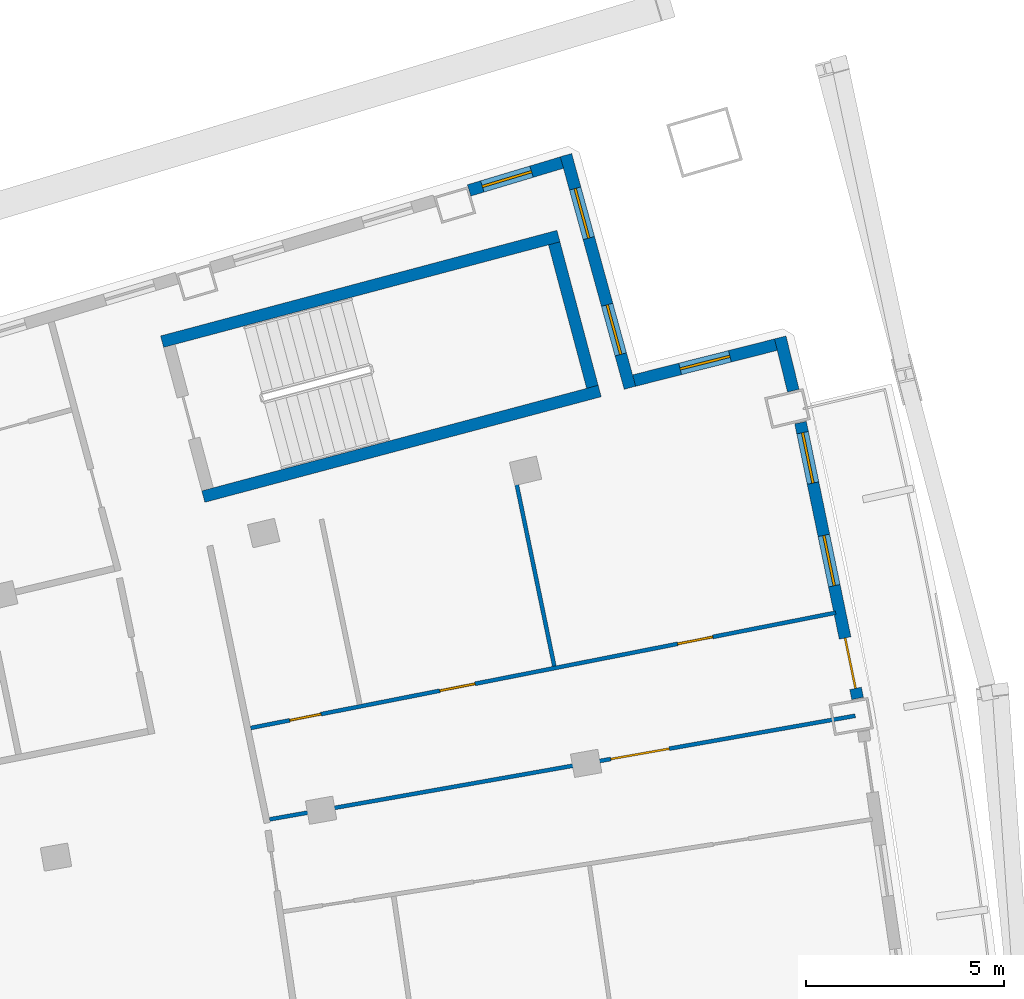
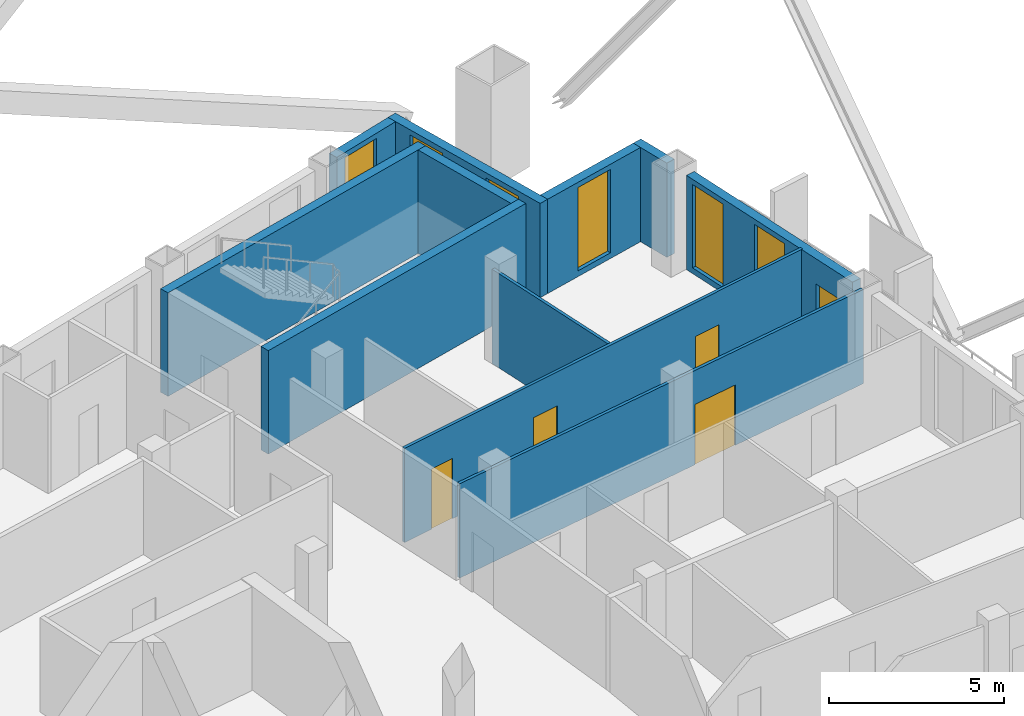
# One storey, part 14 of 21: 11 walls, 6 windows, 5 doors, 11 openings.
"""IFC4 building model written with IfcOpenShell, lengths in metres."""

from ifc_helpers import new_model, si_unit, direction, frame, frame_2d, origin, place, context, subcontext, project, spatial, rectangle, extrude, material, layer, layer_set, type_object, element, fill, save


model = new_model("IFC4")

# Units and contexts
model_context = context("Model", 3, precision=1e-05, world=origin(), true_north=direction((0.0, 1.0)))
body_context = subcontext(model_context, "Body", "Model", "MODEL_VIEW")
ifc_project = project(units=[si_unit("LENGTHUNIT", "METRE"), si_unit("AREAUNIT", "SQUARE_METRE"), si_unit("VOLUMEUNIT", "CUBIC_METRE"), si_unit("PLANEANGLEUNIT", "RADIAN"), si_unit("MASSUNIT", "GRAM", prefix="KILO")], contexts=[model_context])

# Site, building, storey
site_placement = place(None, origin())
site = spatial("IfcSite", under=ifc_project, at=site_placement, CompositionType="ELEMENT")
building_placement = place(site_placement, origin())
building = spatial("IfcBuilding", under=site, at=building_placement, Name="Alderwake Tower", CompositionType="ELEMENT")
storey_placement = place(building_placement, frame((0.0, 0.0, 267.199951171875)))
storey = spatial("IfcBuildingStorey", under=building, at=storey_placement, Name="L66", CompositionType="ELEMENT", Elevation=267.199951171875)

# Walls
ifc_material_1 = material(Name="Concrete C70/85", Category="concrete")
ifc_layer_1 = layer(ifc_material_1, 0.300048828125)
ifc_layer_set_1 = layer_set([ifc_layer_1], Name="Core wall stair enclosure 300 C70-85")
wall_type_1 = type_object("IfcWallType", Name="Core wall stair enclosure 300 C70-85", PredefinedType="SHEAR", material=ifc_layer_set_1)
for number, where, z_axis, x_axis, name in (
    (1, (36.71142578125, 94.182373046875, 0.0), (0.0, 0.0, 1.0), (0.966309214305, 0.257383958996, 0.0), "Core wall CW.082"),
    (2, (37.75390625, 90.268798828125, 0.0), (0.0, 0.0, 1.0), (0.966309214305, 0.257383958996, 0.0), "Core wall CW.084"),
):
    element("IfcWall", number, at=place(storey_placement, frame(where, z_axis=z_axis, x_axis=x_axis)), inside=storey, type_object=wall_type_1, Name=name, PredefinedType="SHEAR", context=body_context, shape_type="SweptSolid", body=[
        extrude(rectangle(XDim=10.360107421875, YDim=0.300048828125, at=frame_2d((5.18017578125, 0.0))), origin(), (0.0, 0.0, 1.0), 3.60009765625),
    ])
wall_1_placement = place(storey_placement, frame((47.581298828125, 93.041748046875, 0.0), z_axis=(0.0, 0.0, 1.0), x_axis=(-0.257366821694, 0.966313778796, 0.0)))
element("IfcWall", 3, at=wall_1_placement, inside=storey, type_object=wall_type_1, Name="Core wall CW.081", PredefinedType="SHEAR", context=body_context, shape_type="SweptSolid", body=[
    extrude(rectangle(XDim=3.749755859375, YDim=0.300048828125, at=frame_2d((1.875, 0.0))), origin(), (0.0, 0.0, 1.0), 3.60009765625),
])

# Wall, openings, door, windows
ifc_material_2 = material(Name="Precast concrete C50/60 spandrel panel", Category="concrete")
ifc_layer_2 = layer(ifc_material_2, 0.300048828125)
ifc_layer_set_2 = layer_set([ifc_layer_2], Name="External wall EW1 Precast concrete C50/60 spandrel")
wall_type_2 = type_object("IfcWallType", Name="External wall EW1 Precast concrete C50/60 spandrel", PredefinedType="SOLIDWALL", material=ifc_layer_set_2)
wall_2_placement = place(storey_placement, frame((54.280517578125, 85.169921875, 0.0), z_axis=(0.0, 0.0, 1.0), x_axis=(-0.202756509143, 0.979229185635, 0.0)))
wall_2 = element("IfcWall", 4, at=wall_2_placement, inside=storey, type_object=wall_type_2, Name="External wall 19", PredefinedType="SOLIDWALL", context=body_context, shape_type="SweptSolid", body=[
    extrude(rectangle(XDim=7.114990234375, YDim=0.300048828125, at=frame_2d((3.5576171875, 0.0))), origin(), (0.0, 0.0, 1.0), 3.280029296875),
])
opening_1_placement = place(wall_2_placement, frame((0.259521484375, 0.0, 0.0)))
opening_1 = element("IfcOpeningElement", 5, at=opening_1_placement, cuts=wall_2, Name="Opening D09", PredefinedType="OPENING", context=body_context, shape_type="SweptSolid", body=[
    extrude(rectangle(XDim=1.300048828125, YDim=2.39990234375, at=frame_2d((0.64990234375, 1.199951171875))), frame((0.0, 0.159912109375, 0.0), z_axis=(0.0, -1.0, 0.0), x_axis=(1.0, 0.0, 0.0)), (0.0, 0.0, 1.0), 0.320068359375),
])
opening_2_placement = place(wall_2_placement, frame((2.907470703125, 0.0, 0.199951171875)))
opening_2 = element("IfcOpeningElement", 6, at=opening_2_placement, cuts=wall_2, Name="Opening W1", PredefinedType="OPENING", context=body_context, shape_type="SweptSolid", body=[
    extrude(rectangle(XDim=1.300048828125, YDim=2.89990234375, at=frame_2d((0.64990234375, 1.449951171875))), frame((0.0, 0.159912109375, 0.0), z_axis=(0.0, -1.0, 0.0), x_axis=(1.0, 0.0, 0.0)), (0.0, 0.0, 1.0), 0.320068359375),
])
opening_3_placement = place(wall_2_placement, frame((5.555419921875, 0.0, 0.199951171875)))
opening_3 = element("IfcOpeningElement", 7, at=opening_3_placement, cuts=wall_2, Name="Opening W1", PredefinedType="OPENING", context=body_context, shape_type="SweptSolid", body=[
    extrude(rectangle(XDim=1.300048828125, YDim=2.89990234375, at=frame_2d((0.64990234375, 1.449951171875))), frame((0.0, 0.159912109375, 0.0), z_axis=(0.0, -1.0, 0.0), x_axis=(1.0, 0.0, 0.0)), (0.0, 0.0, 1.0), 0.320068359375),
])
ifc_material_3 = material(Name="Bronze tinted glass in aluminium frame", Category="aluminium")
door_type_1 = type_object("IfcDoorType", Name="Balcony door BD sliding", OperationType="SLIDING_TO_LEFT", PredefinedType="DOOR", material=ifc_material_3)
door_1_placement = place(opening_1_placement, origin())
door_1 = element("IfcDoor", 8, at=door_1_placement, inside=storey, type_object=door_type_1, Name="Door D09", OperationType="SLIDING_TO_LEFT", OverallHeight=2.39990234375, OverallWidth=1.300048828125, PredefinedType="DOOR", context=body_context, shape_type="SweptSolid", body=[
    extrude(rectangle(XDim=1.300048828125, YDim=2.39990234375, at=frame_2d((0.64990234375, 1.199951171875))), frame((0.0, 0.02490234375, 0.0), z_axis=(0.0, -1.0, 0.0), x_axis=(1.0, 0.0, 0.0)), (0.0, 0.0, 1.0), 0.050048828125),
])
fill(opening_1, door_1)
ifc_material_4 = material(Name="Bronze tinted glass in aluminium frame", Category="aluminium")
window_type = type_object("IfcWindowType", Name="Window W1 tall fixed and vent", PartitioningType="DOUBLE_PANEL_VERTICAL", PredefinedType="WINDOW", material=ifc_material_4)
window_1_placement = place(opening_2_placement, origin())
window_1 = element("IfcWindow", 9, at=window_1_placement, inside=storey, type_object=window_type, Name="Window W1 tall fixed and vent", OverallHeight=2.89990234375, OverallWidth=1.300048828125, PartitioningType="DOUBLE_PANEL_VERTICAL", PredefinedType="WINDOW", context=body_context, shape_type="SweptSolid", body=[
    extrude(rectangle(XDim=1.300048828125, YDim=2.89990234375, at=frame_2d((0.64990234375, 1.449951171875))), frame((0.0, 0.030029296875, 0.0), z_axis=(0.0, -1.0, 0.0), x_axis=(1.0, 0.0, 0.0)), (0.0, 0.0, 1.0), 0.06005859375),
])
fill(opening_2, window_1)
window_2_placement = place(opening_3_placement, origin())
window_2 = element("IfcWindow", 10, at=window_2_placement, inside=storey, type_object=window_type, Name="Window W1 tall fixed and vent", OverallHeight=2.89990234375, OverallWidth=1.300048828125, PartitioningType="DOUBLE_PANEL_VERTICAL", PredefinedType="WINDOW", context=body_context, shape_type="SweptSolid", body=[
    extrude(rectangle(XDim=1.300048828125, YDim=2.89990234375, at=frame_2d((0.64990234375, 1.449951171875))), frame((0.0, 0.030029296875, 0.0), z_axis=(0.0, -1.0, 0.0), x_axis=(1.0, 0.0, 0.0)), (0.0, 0.0, 1.0), 0.06005859375),
])
fill(opening_3, window_2)

# Wall
wall_3_placement = place(storey_placement, frame((52.65576171875, 92.944091796875, 0.0), z_axis=(0.0, 0.0, 1.0), x_axis=(-0.23842552744, 0.971160783735, 0.0)))
element("IfcWall", 11, at=wall_3_placement, inside=storey, type_object=wall_type_2, Name="External wall 20", PredefinedType="SOLIDWALL", context=body_context, shape_type="SweptSolid", body=[
    extrude(rectangle(XDim=1.384521484375, YDim=0.300048828125, at=frame_2d((0.6923828125, 0.0))), origin(), (0.0, 0.0, 1.0), 3.280029296875),
])

# Wall, opening, window
ifc_material_5 = material(Name="Bronze metal cladding on lightweight framing")
ifc_layer_3 = layer(ifc_material_5, 0.300048828125)
ifc_layer_set_3 = layer_set([ifc_layer_3], Name="External wall EW2 bronze metal cladding")
wall_type_3 = type_object("IfcWallType", Name="External wall EW2 bronze metal cladding", PredefinedType="SOLIDWALL", material=ifc_layer_set_3)
wall_4_placement = place(storey_placement, frame((52.216064453125, 94.106201171875, 0.0), z_axis=(0.0, 0.0, 1.0), x_axis=(-0.96941119971, -0.245442306614, 0.0)))
wall_4 = element("IfcWall", 12, at=wall_4_placement, inside=storey, type_object=wall_type_3, Name="External wall 21", PredefinedType="SOLIDWALL", context=body_context, shape_type="SweptSolid", body=[
    extrude(rectangle(XDim=3.6943359375, YDim=0.300048828125, at=frame_2d((1.84716796875, 0.0))), origin(), (0.0, 0.0, 1.0), 3.280029296875),
])
opening_4_placement = place(wall_4_placement, frame((1.197021484375, 0.0, 0.199951171875)))
opening_4 = element("IfcOpeningElement", 13, at=opening_4_placement, cuts=wall_4, Name="Opening W1", PredefinedType="OPENING", context=body_context, shape_type="SweptSolid", body=[
    extrude(rectangle(XDim=1.300048828125, YDim=2.89990234375, at=frame_2d((0.64990234375, 1.449951171875))), frame((0.0, 0.159912109375, 0.0), z_axis=(0.0, -1.0, 0.0), x_axis=(1.0, 0.0, 0.0)), (0.0, 0.0, 1.0), 0.320068359375),
])
window_3_placement = place(opening_4_placement, origin())
window_3 = element("IfcWindow", 14, at=window_3_placement, inside=storey, type_object=window_type, Name="Window W1 tall fixed and vent", OverallHeight=2.89990234375, OverallWidth=1.300048828125, PartitioningType="DOUBLE_PANEL_VERTICAL", PredefinedType="WINDOW", context=body_context, shape_type="SweptSolid", body=[
    extrude(rectangle(XDim=1.300048828125, YDim=2.89990234375, at=frame_2d((0.64990234375, 1.449951171875))), frame((0.0, 0.030029296875, 0.0), z_axis=(0.0, -1.0, 0.0), x_axis=(1.0, 0.0, 0.0)), (0.0, 0.0, 1.0), 0.06005859375),
])
fill(opening_4, window_3)

# Wall, openings, windows
wall_5_placement = place(storey_placement, frame((48.529052734375, 93.01806640625, 0.0), z_axis=(0.0, 0.0, 1.0), x_axis=(-0.265045678323, 0.964235857248, 0.0)))
wall_5 = element("IfcWall", 15, at=wall_5_placement, inside=storey, type_object=wall_type_3, Name="External wall 22", PredefinedType="SOLIDWALL", context=body_context, shape_type="SweptSolid", body=[
    extrude(rectangle(XDim=6.09423828125, YDim=0.300048828125, at=frame_2d((3.047119140625, 0.0))), origin(), (0.0, 0.0, 1.0), 3.280029296875),
])
opening_5_placement = place(wall_5_placement, frame((0.87353515625, 0.0, 0.199951171875)))
opening_5 = element("IfcOpeningElement", 16, at=opening_5_placement, cuts=wall_5, Name="Opening W1", PredefinedType="OPENING", context=body_context, shape_type="SweptSolid", body=[
    extrude(rectangle(XDim=1.300048828125, YDim=2.89990234375, at=frame_2d((0.64990234375, 1.449951171875))), frame((0.0, 0.159912109375, 0.0), z_axis=(0.0, -1.0, 0.0), x_axis=(1.0, 0.0, 0.0)), (0.0, 0.0, 1.0), 0.320068359375),
])
opening_6_placement = place(wall_5_placement, frame((3.920654296875, 0.0, 0.199951171875)))
opening_6 = element("IfcOpeningElement", 17, at=opening_6_placement, cuts=wall_5, Name="Opening W1", PredefinedType="OPENING", context=body_context, shape_type="SweptSolid", body=[
    extrude(rectangle(XDim=1.300048828125, YDim=2.89990234375, at=frame_2d((0.64990234375, 1.449951171875))), frame((0.0, 0.159912109375, 0.0), z_axis=(0.0, -1.0, 0.0), x_axis=(1.0, 0.0, 0.0)), (0.0, 0.0, 1.0), 0.320068359375),
])
window_4_placement = place(opening_5_placement, origin())
window_4 = element("IfcWindow", 18, at=window_4_placement, inside=storey, type_object=window_type, Name="Window W1 tall fixed and vent", OverallHeight=2.89990234375, OverallWidth=1.300048828125, PartitioningType="DOUBLE_PANEL_VERTICAL", PredefinedType="WINDOW", context=body_context, shape_type="SweptSolid", body=[
    extrude(rectangle(XDim=1.300048828125, YDim=2.89990234375, at=frame_2d((0.64990234375, 1.449951171875))), frame((0.0, 0.030029296875, 0.0), z_axis=(0.0, -1.0, 0.0), x_axis=(1.0, 0.0, 0.0)), (0.0, 0.0, 1.0), 0.06005859375),
])
fill(opening_5, window_4)
window_5_placement = place(opening_6_placement, origin())
window_5 = element("IfcWindow", 19, at=window_5_placement, inside=storey, type_object=window_type, Name="Window W1 tall fixed and vent", OverallHeight=2.89990234375, OverallWidth=1.300048828125, PartitioningType="DOUBLE_PANEL_VERTICAL", PredefinedType="WINDOW", context=body_context, shape_type="SweptSolid", body=[
    extrude(rectangle(XDim=1.300048828125, YDim=2.89990234375, at=frame_2d((0.64990234375, 1.449951171875))), frame((0.0, 0.030029296875, 0.0), z_axis=(0.0, -1.0, 0.0), x_axis=(1.0, 0.0, 0.0)), (0.0, 0.0, 1.0), 0.06005859375),
])
fill(opening_6, window_5)

# Wall, opening, window
wall_6_placement = place(storey_placement, frame((46.809814453125, 98.70654296875, 0.0), z_axis=(0.0, 0.0, 1.0), x_axis=(-0.957774080788, -0.287521842946, 0.0)))
wall_6 = element("IfcWall", 20, at=wall_6_placement, inside=storey, type_object=wall_type_3, Name="External wall 23", PredefinedType="SOLIDWALL", context=body_context, shape_type="SweptSolid", body=[
    extrude(rectangle(XDim=2.4462890625, YDim=0.300048828125, at=frame_2d((1.22314453125, 0.0))), origin(), (0.0, 0.0, 1.0), 3.280029296875),
])
opening_7_placement = place(wall_6_placement, frame((0.799072265625, 0.0, 0.199951171875)))
opening_7 = element("IfcOpeningElement", 21, at=opening_7_placement, cuts=wall_6, Name="Opening W1", PredefinedType="OPENING", context=body_context, shape_type="SweptSolid", body=[
    extrude(rectangle(XDim=1.300048828125, YDim=2.89990234375, at=frame_2d((0.64990234375, 1.449951171875))), frame((0.0, 0.159912109375, 0.0), z_axis=(0.0, -1.0, 0.0), x_axis=(1.0, 0.0, 0.0)), (0.0, 0.0, 1.0), 0.320068359375),
])
window_6_placement = place(opening_7_placement, origin())
window_6 = element("IfcWindow", 22, at=window_6_placement, inside=storey, type_object=window_type, Name="Window W1 tall fixed and vent", OverallHeight=2.89990234375, OverallWidth=1.300048828125, PartitioningType="DOUBLE_PANEL_VERTICAL", PredefinedType="WINDOW", context=body_context, shape_type="SweptSolid", body=[
    extrude(rectangle(XDim=1.300048828125, YDim=2.89990234375, at=frame_2d((0.64990234375, 1.449951171875))), frame((0.0, 0.030029296875, 0.0), z_axis=(0.0, -1.0, 0.0), x_axis=(1.0, 0.0, 0.0)), (0.0, 0.0, 1.0), 0.06005859375),
])
fill(opening_7, window_6)

# Wall, openings, doors
ifc_material_6 = material(Name="Gypsum board on metal studs")
ifc_layer_4 = layer(ifc_material_6, 0.10009765625)
ifc_layer_set_4 = layer_set([ifc_layer_4], Name="Unit partition 100")
wall_type_4 = type_object("IfcWallType", Name="Unit partition 100", PredefinedType="PARTITIONING", material=ifc_layer_set_4)
wall_7_placement = place(storey_placement, frame((38.949462890625, 84.423583984375, 0.0), z_axis=(0.0, 0.0, 1.0), x_axis=(0.981127917423, 0.193359793272, 0.0)))
wall_7 = element("IfcWall", 23, at=wall_7_placement, inside=storey, type_object=wall_type_4, Name="WL/L66/W39", PredefinedType="PARTITIONING", context=body_context, shape_type="SweptSolid", body=[
    extrude(rectangle(XDim=15.061767578125, YDim=0.10009765625, at=frame_2d((7.53076171875, 0.0))), origin(), (0.0, 0.0, 1.0), 3.280029296875),
])
opening_8_placement = place(wall_7_placement, frame((4.873291015625, 0.0, 0.0)))
opening_8 = element("IfcOpeningElement", 24, at=opening_8_placement, cuts=wall_7, Name="Opening R19-U06.5", PredefinedType="OPENING", context=body_context, shape_type="SweptSolid", body=[
    extrude(rectangle(XDim=0.89990234375, YDim=2.10009765625, at=frame_2d((0.449951171875, 1.050048828125))), frame((0.0, 0.06005859375, 0.0), z_axis=(0.0, -1.0, 0.0), x_axis=(1.0, 0.0, 0.0)), (0.0, 0.0, 1.0), 0.1201171875),
])
opening_9_placement = place(wall_7_placement, frame((1.009521484375, 0.0, 0.0)))
opening_9 = element("IfcOpeningElement", 25, at=opening_9_placement, cuts=wall_7, Name="Opening R19-U06.6", PredefinedType="OPENING", context=body_context, shape_type="SweptSolid", body=[
    extrude(rectangle(XDim=0.800048828125, YDim=2.10009765625, at=frame_2d((0.39990234375, 1.050048828125))), frame((0.0, 0.06005859375, 0.0), z_axis=(0.0, -1.0, 0.0), x_axis=(1.0, 0.0, 0.0)), (0.0, 0.0, 1.0), 0.1201171875),
])
opening_10_placement = place(wall_7_placement, frame((10.99462890625, 0.0, 0.0)))
opening_10 = element("IfcOpeningElement", 26, at=opening_10_placement, cuts=wall_7, Name="Opening R19-U06.7", PredefinedType="OPENING", context=body_context, shape_type="SweptSolid", body=[
    extrude(rectangle(XDim=0.89990234375, YDim=2.10009765625, at=frame_2d((0.449951171875, 1.050048828125))), frame((0.0, 0.06005859375, 0.0), z_axis=(0.0, -1.0, 0.0), x_axis=(1.0, 0.0, 0.0)), (0.0, 0.0, 1.0), 0.1201171875),
])
ifc_material_7 = material(Name="Painted timber leaf", Category="wood")
door_type_2 = type_object("IfcDoorType", Name="Bathroom door 800", OperationType="SINGLE_SWING_LEFT", PredefinedType="DOOR", material=ifc_material_7)
door_2_placement = place(opening_9_placement, origin())
door_2 = element("IfcDoor", 27, at=door_2_placement, inside=storey, type_object=door_type_2, Name="DR/L66/U06.6", OperationType="SINGLE_SWING_LEFT", OverallHeight=2.10009765625, OverallWidth=0.800048828125, PredefinedType="DOOR", context=body_context, shape_type="SweptSolid", body=[
    extrude(rectangle(XDim=0.800048828125, YDim=2.10009765625, at=frame_2d((0.39990234375, 1.050048828125))), frame((0.0, 0.02490234375, 0.0), z_axis=(0.0, -1.0, 0.0), x_axis=(1.0, 0.0, 0.0)), (0.0, 0.0, 1.0), 0.050048828125),
])
fill(opening_9, door_2)
ifc_material_8 = material(Name="Painted timber leaf", Category="wood")
door_type_3 = type_object("IfcDoorType", Name="Room door 900", OperationType="SINGLE_SWING_LEFT", PredefinedType="DOOR", material=ifc_material_8)
door_3_placement = place(opening_8_placement, origin())
door_3 = element("IfcDoor", 28, at=door_3_placement, inside=storey, type_object=door_type_3, Name="DR/L66/U06.5", OperationType="SINGLE_SWING_LEFT", OverallHeight=2.10009765625, OverallWidth=0.89990234375, PredefinedType="DOOR", context=body_context, shape_type="SweptSolid", body=[
    extrude(rectangle(XDim=0.89990234375, YDim=2.10009765625, at=frame_2d((0.449951171875, 1.050048828125))), frame((0.0, 0.02490234375, 0.0), z_axis=(0.0, -1.0, 0.0), x_axis=(1.0, 0.0, 0.0)), (0.0, 0.0, 1.0), 0.050048828125),
])
fill(opening_8, door_3)
door_4_placement = place(opening_10_placement, origin())
door_4 = element("IfcDoor", 29, at=door_4_placement, inside=storey, type_object=door_type_3, Name="DR/L66/U06.7", OperationType="SINGLE_SWING_LEFT", OverallHeight=2.10009765625, OverallWidth=0.89990234375, PredefinedType="DOOR", context=body_context, shape_type="SweptSolid", body=[
    extrude(rectangle(XDim=0.89990234375, YDim=2.10009765625, at=frame_2d((0.449951171875, 1.050048828125))), frame((0.0, 0.02490234375, 0.0), z_axis=(0.0, -1.0, 0.0), x_axis=(1.0, 0.0, 0.0)), (0.0, 0.0, 1.0), 0.050048828125),
])
fill(opening_10, door_4)

# Wall
wall_8_placement = place(storey_placement, frame((46.618896484375, 85.987060546875, 0.0), z_axis=(0.0, 0.0, 1.0), x_axis=(-0.202660853236, 0.979248987013, 0.0)))
element("IfcWall", 30, at=wall_8_placement, inside=storey, type_object=wall_type_4, Name="WL/L66/W47", PredefinedType="PARTITIONING", context=body_context, shape_type="SweptSolid", body=[
    extrude(rectangle(XDim=4.968017578125, YDim=0.10009765625, at=frame_2d((2.48388671875, 0.0))), origin(), (0.0, 0.0, 1.0), 3.280029296875),
])

# Wall, opening, door
wall_9_placement = place(storey_placement, frame((39.4267578125, 82.114990234375, 0.0), z_axis=(0.0, 0.0, 1.0), x_axis=(0.984708860325, 0.174208095097, 0.0)))
wall_9 = element("IfcWall", 31, at=wall_9_placement, inside=storey, type_object=wall_type_4, Name="WL/L66/W55", PredefinedType="PARTITIONING", context=body_context, shape_type="SweptSolid", body=[
    extrude(rectangle(XDim=15.02197265625, YDim=0.10009765625, at=frame_2d((7.510986328125, 0.0))), origin(), (0.0, 0.0, 1.0), 3.280029296875),
])
opening_11_placement = place(wall_9_placement, frame((8.752685546875, 0.0, 0.0)))
opening_11 = element("IfcOpeningElement", 32, at=opening_11_placement, cuts=wall_9, Name="Opening R19-U06.8", PredefinedType="OPENING", context=body_context, shape_type="SweptSolid", body=[
    extrude(rectangle(XDim=1.5, YDim=2.10009765625, at=frame_2d((0.75, 1.050048828125))), frame((0.0, 0.06005859375, 0.0), z_axis=(0.0, -1.0, 0.0), x_axis=(1.0, 0.0, 0.0)), (0.0, 0.0, 1.0), 0.1201171875),
])
ifc_material_9 = material(Name="Painted timber leaves", Category="wood")
door_type_4 = type_object("IfcDoorType", Name="Double leaf door 1500", OperationType="DOUBLE_DOOR_SINGLE_SWING", PredefinedType="DOOR", material=ifc_material_9)
door_5_placement = place(opening_11_placement, origin())
door_5 = element("IfcDoor", 33, at=door_5_placement, inside=storey, type_object=door_type_4, Name="DR/L66/U06.8", OperationType="DOUBLE_DOOR_SINGLE_SWING", OverallHeight=2.10009765625, OverallWidth=1.5, PredefinedType="DOOR", context=body_context, shape_type="SweptSolid", body=[
    extrude(rectangle(XDim=1.5, YDim=2.10009765625, at=frame_2d((0.75, 1.050048828125))), frame((0.0, 0.02490234375, 0.0), z_axis=(0.0, -1.0, 0.0), x_axis=(1.0, 0.0, 0.0)), (0.0, 0.0, 1.0), 0.050048828125),
])
fill(opening_11, door_5)

save(model, "model.ifc")
